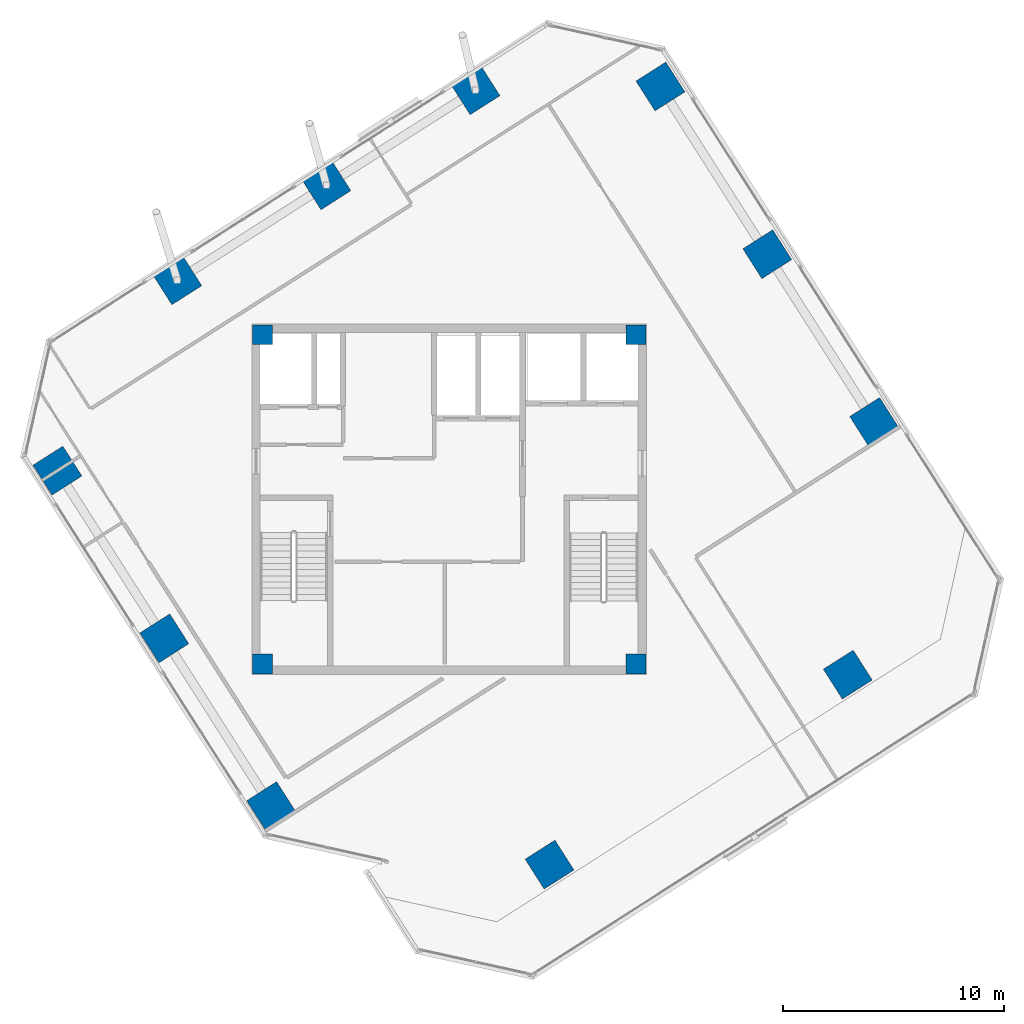
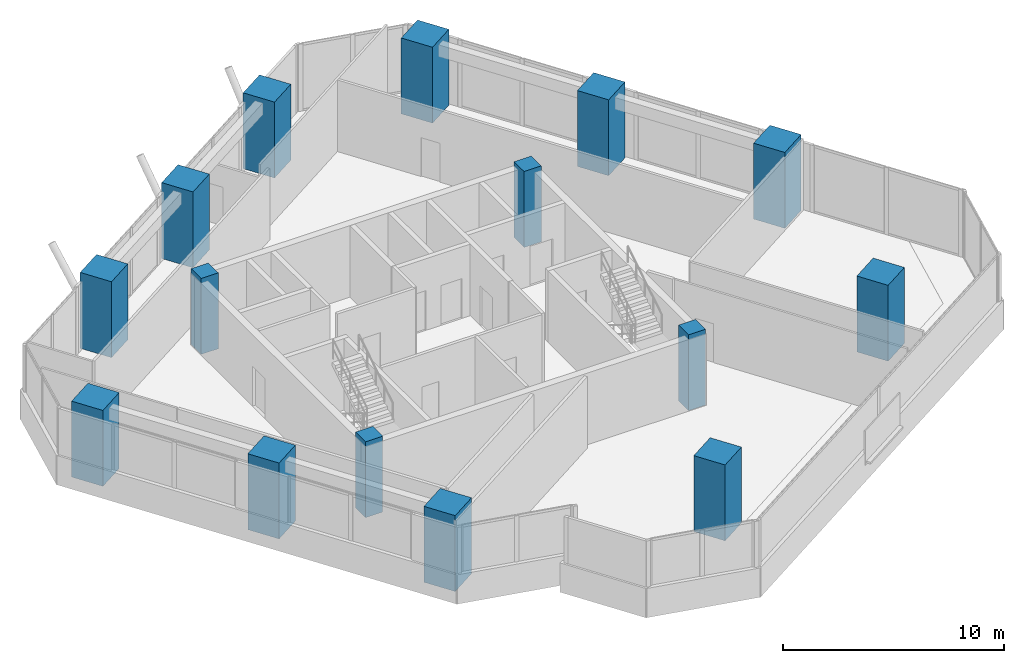
# One storey, part 1 of 14: 15 columns.
"""IFC4 building model written with IfcOpenShell, lengths in metres."""

from ifc_helpers import new_model, si_unit, direction, frame, origin, origin_2d, place, context, subcontext, project, spatial, rectangle, extrude, source, transform, mapped, material, material_profile, profile_set, type_object, element, save


model = new_model("IFC4")

# Units and contexts
model_context = context("Model", 3, precision=1e-05, world=origin(), true_north=direction((0.0, 1.0)))
body_context = subcontext(model_context, "Body", "Model", "MODEL_VIEW")
ifc_project = project(units=[si_unit("LENGTHUNIT", "METRE"), si_unit("AREAUNIT", "SQUARE_METRE"), si_unit("VOLUMEUNIT", "CUBIC_METRE"), si_unit("PLANEANGLEUNIT", "RADIAN"), si_unit("MASSUNIT", "GRAM", prefix="KILO")], contexts=[model_context])

# Site, building, storey
site_placement = place(None, origin())
site = spatial("IfcSite", under=ifc_project, at=site_placement, CompositionType="ELEMENT")
building_placement = place(site_placement, origin())
building = spatial("IfcBuilding", under=site, at=building_placement, Name="Torre Montelarca", CompositionType="ELEMENT")
storey_placement = place(building_placement, frame((0.0, 0.0, 315.60009765625)))
storey = spatial("IfcBuildingStorey", under=building, at=storey_placement, Name="L71", CompositionType="ELEMENT", Elevation=315.60009765625)

# Columns
ifc_material_1 = material(Name="Concrete C55/67", Category="concrete")
ifc_material_profile_1 = material_profile(ifc_material_1, rectangle(XDim=0.89990234375, YDim=0.89990234375, at=origin_2d()), Name="RC900X900", Category="concrete")
ifc_profile_set_1 = profile_set([ifc_material_profile_1], Name="Concrete C55/67")
column_type_1 = type_object("IfcColumnType", Name="COL-RC900", PredefinedType="COLUMN", material=ifc_profile_set_1)
shared_shape_1 = source(origin(), body_context, "Body", "SweptSolid", [
    extrude(rectangle(XDim=0.89990234375, YDim=0.89990234375, at=origin_2d()), origin(), (0.0, 0.0, 1.0), 4.198486328125),
])
for number, where, z_axis, x_axis, name in (
    (1, (9.550048828125, 24.550048828125, 0.000732421875), (0.0, 0.0, 1.0), (1.0, 0.0, 0.0), "L71 Plumb Core Corner Column 2D"),
    (2, (26.449951171875, 24.550048828125, 0.000732421875), (0.0, 0.0, 1.0), (1.0, 0.0, 0.0), "L71 Plumb Core Corner Column 4D"),
    (3, (9.550048828125, 39.449951171875, 0.000732421875), (0.0, 0.0, 1.0), (1.0, 0.0, 0.0), "L71 Plumb Core Corner Column 2F"),
    (4, (26.449951171875, 39.449951171875, 0.000732421875), (0.0, 0.0, 1.0), (1.0, 0.0, 0.0), "L71 Plumb Core Corner Column 4F"),
):
    element("IfcColumn", number, at=place(storey_placement, frame(where, z_axis=z_axis, x_axis=x_axis)), inside=storey, type_object=column_type_1, Name=name, PredefinedType="COLUMN", context=body_context, shape_type="MappedRepresentation", body=[
        mapped(shared_shape_1, transform((0.0, 0.0, 0.0), scale=1.0)),
    ])
ifc_material_2 = material(Name="Concrete C70/85", Category="concrete")
ifc_material_profile_2 = material_profile(ifc_material_2, rectangle(XDim=1.60009765625, YDim=1.60009765625, at=origin_2d()), Name="RC1600X1600", Category="concrete")
ifc_profile_set_2 = profile_set([ifc_material_profile_2], Name="Concrete C70/85")
column_type_2 = type_object("IfcColumnType", Name="COL-RC1600-EXT", PredefinedType="COLUMN", material=ifc_profile_set_2)
shared_shape_2 = source(origin(), body_context, "Body", "SweptSolid", [
    extrude(rectangle(XDim=1.60009765625, YDim=1.60009765625, at=origin_2d()), origin(), (0.0, 0.0, 1.0), 4.198486328125),
])
for number, where, z_axis, x_axis, name in (
    (5, (0.27734375, 33.30078125, 0.000732421875), (0.0, 0.0, 1.0), (-0.537299608347, 0.843391445813, 0.0), "L71 Perimeter Mega Column 2/CS"),
    (6, (27.56103515625, 50.6826171875, 0.000732421875), (0.0, 0.0, 1.0), (-0.537299608347, 0.843391445813, 0.0), "L71 Perimeter Mega Column 2/GN"),
    (7, (5.113037109375, 25.710205078125, 0.000732421875), (0.0, 0.0, 1.0), (-0.537299608347, 0.843391445813, 0.0), "L71 Perimeter Mega Column 3/CS"),
    (8, (32.396728515625, 43.092041015625, 0.000732421875), (0.0, 0.0, 1.0), (-0.537299608347, 0.843391445813, 0.0), "L71 Perimeter Mega Column 3/GN"),
    (9, (9.94873046875, 18.119873046875, 0.000732421875), (0.0, 0.0, 1.0), (-0.537299608347, 0.843391445813, 0.0), "L71 Perimeter Mega Column 4/CS"),
    (10, (37.232421875, 35.50146484375, 0.000732421875), (0.0, 0.0, 1.0), (-0.537299608347, 0.843391445813, 0.0), "L71 Perimeter Mega Column 4/GN"),
    (11, (22.543701171875, 15.472412109375, 0.000732421875), (0.0, 0.0, 1.0), (-0.537299608347, 0.843391445813, 0.0), "L71 Perimeter Mega Column 5/D"),
    (12, (36.0380859375, 24.069091796875, 0.000732421875), (0.0, 0.0, 1.0), (-0.537299608347, 0.843391445813, 0.0), "L71 Perimeter Mega Column 5/F"),
    (13, (5.699462890625, 41.91259765625, 0.000732421875), (0.0, 0.0, 1.0), (-0.537299608347, 0.843391445813, 0.0), "L71 Perimeter Mega Column 1W/D"),
    (14, (12.446533203125, 46.211181640625, 0.000732421875), (0.0, 0.0, 1.0), (-0.537299608347, 0.843391445813, 0.0), "L71 Perimeter Mega Column 1W/E"),
    (15, (19.193603515625, 50.509521484375, 0.000732421875), (0.0, 0.0, 1.0), (-0.537299608347, 0.843391445813, 0.0), "L71 Perimeter Mega Column 1W/F"),
):
    element("IfcColumn", number, at=place(storey_placement, frame(where, z_axis=z_axis, x_axis=x_axis)), inside=storey, type_object=column_type_2, Name=name, PredefinedType="COLUMN", context=body_context, shape_type="MappedRepresentation", body=[
        mapped(shared_shape_2, transform((0.0, 0.0, 0.0), scale=1.0)),
    ])

save(model, "model.ifc")
